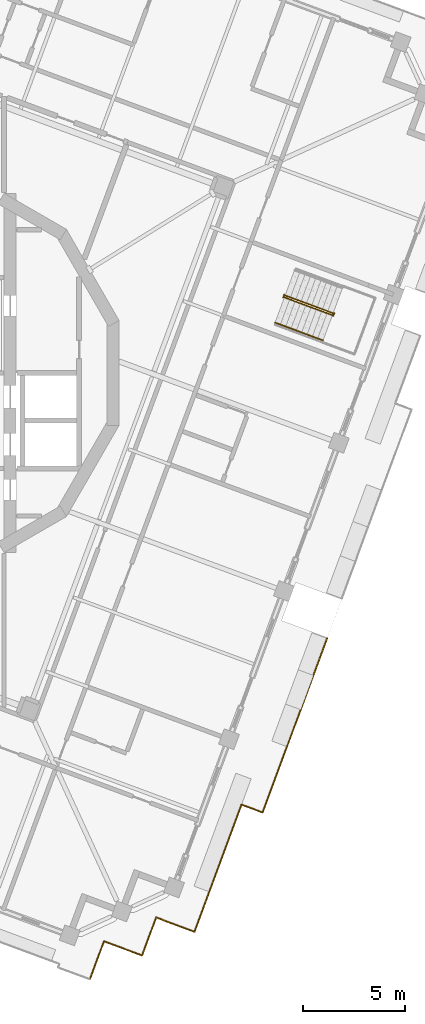
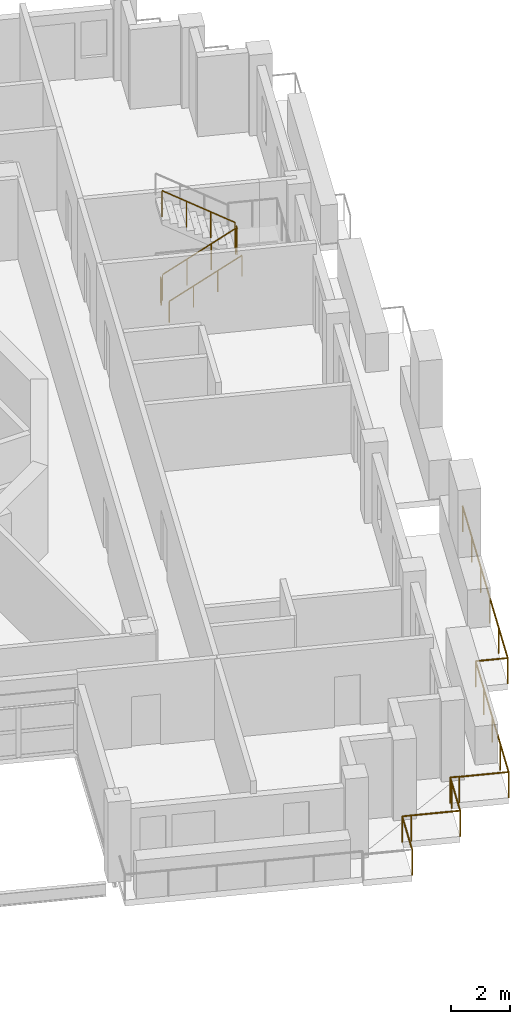
# One storey, part 15 of 19: 5 railings.
"""IFC4 building model written with IfcOpenShell, lengths in metres."""

import ifcopenshell
import ifcopenshell.guid

model = None  # the IFC model being written
_history = None  # IfcOwnerHistory: only IFC2X3 demands one
_inside = {}  # id of a spatial element -> (the spatial element, [elements in it])
_under = {}  # id of a project, library or spatial element -> (it, [spatial elements below it])
_declared = {}  # id of a project -> (the project, [libraries it declares])
_typed = {}  # id of a type object -> (the type object, [elements of that type])
_made_of = {}  # id of a material, layer set ... -> (it, [elements and type objects made of it])


def new_model(schema):
    """Start an empty IFC model of exactly this schema.

    Asked for "IFC4X3", IfcOpenShell would pick the latest addendum, in which some entities
    have other attributes; the version numbers below select the first issue.
    IFC2X3 requires an IfcOwnerHistory on every rooted entity: one is made here for all.
    """
    global model, _history
    if schema == "IFC4X3":
        model = ifcopenshell.file(schema_version=(4, 3, 0, 0))
    else:
        model = ifcopenshell.file(schema=schema)
    _inside.clear()
    _under.clear()
    _declared.clear()
    _typed.clear()
    _made_of.clear()
    _history = None
    if model.schema == "IFC2X3":
        org = make("IfcOrganization", Name="unknown")
        user = make(
            "IfcPersonAndOrganization",
            ThePerson=make("IfcPerson", FamilyName="unknown"),
            TheOrganization=org,
        )
        app = make(
            "IfcApplication",
            ApplicationDeveloper=org,
            Version="unknown",
            ApplicationFullName="unknown",
            ApplicationIdentifier="unknown",
        )
        _history = make(
            "IfcOwnerHistory",
            OwningUser=user,
            OwningApplication=app,
            ChangeAction="ADDED",
            CreationDate=0,
        )
    return model


def make(cls, **values):
    """One entity of the class cls with the attributes given. An attribute that is None is left unset."""
    return model.create_entity(
        cls, **{name: value for name, value in values.items() if value is not None}
    )


def rooted(cls, **values):
    """An entity with a GlobalId (a new one), such as an element, a storey or a relation."""
    return make(cls, GlobalId=ifcopenshell.guid.new(), OwnerHistory=_history, **values)


def si_unit(unit_type, name, prefix=None):
    """IfcSIUnit, for example si_unit("LENGTHUNIT", "METRE", prefix="MILLI")."""
    return make("IfcSIUnit", UnitType=unit_type, Prefix=prefix, Name=name)


def assignment(units):
    """IfcUnitAssignment: the units of a project."""
    return None if units is None else make("IfcUnitAssignment", Units=units)


def point(xyz):
    """IfcCartesianPoint."""
    return None if xyz is None else make("IfcCartesianPoint", Coordinates=xyz)


def direction(xyz):
    """IfcDirection."""
    return None if xyz is None else make("IfcDirection", DirectionRatios=xyz)


def frame(location, z_axis=None, x_axis=None):
    """IfcAxis2Placement3D, a coordinate frame: its origin and axes. An axis left out is left unset."""
    return make(
        "IfcAxis2Placement3D",
        Location=point(location),
        Axis=direction(z_axis),
        RefDirection=direction(x_axis),
    )


def frame_2d(location, x_axis=None):
    """IfcAxis2Placement2D, a coordinate frame in the plane: its origin and x axis."""
    return make(
        "IfcAxis2Placement2D", Location=point(location), RefDirection=direction(x_axis)
    )


def origin():
    """The frame at (0, 0, 0) with its axes left unset."""
    return frame((0.0, 0.0, 0.0))


def origin_2d():
    """The frame at (0, 0) in the plane with its x axis left unset."""
    return frame_2d((0.0, 0.0))


def place(relative_to, where):
    """IfcLocalPlacement: puts the frame where relative to a parent placement (None: the world)."""
    return make(
        "IfcLocalPlacement", PlacementRelTo=relative_to, RelativePlacement=where
    )


def context(
    kind, dimensions, precision=None, world=None, true_north=None, identifier=None
):
    """IfcGeometricRepresentationContext, for example the 3D "Model" context."""
    return make(
        "IfcGeometricRepresentationContext",
        ContextIdentifier=identifier,
        ContextType=kind,
        CoordinateSpaceDimension=dimensions,
        Precision=precision,
        WorldCoordinateSystem=world,
        TrueNorth=true_north,
    )


def subcontext(parent, identifier, kind, view, scale=None):
    """IfcGeometricRepresentationSubContext, for example "Body" below "Model"."""
    return make(
        "IfcGeometricRepresentationSubContext",
        ContextIdentifier=identifier,
        ContextType=kind,
        ParentContext=parent,
        TargetScale=scale,
        TargetView=view,
    )


def project(units=None, contexts=None):
    """IfcProject with its units and contexts."""
    return rooted(
        "IfcProject",
        Name="project",
        RepresentationContexts=contexts,
        UnitsInContext=assignment(units),
    )


def spatial(cls, under=None, at=None, **own):
    """A site, building, storey or space (cls), placed at a placement, below another one or the project."""
    s = rooted(cls, ObjectPlacement=at, **own)
    if under is not None:
        _under.setdefault(under.id(), (under, []))[1].append(s)
    return s


def profile(cls, at=None, kind="AREA", **sizes):
    """A parametric profile (cls). Its sizes go by their IFC names, for example OverallWidth=200.0."""
    return make(cls, ProfileType=kind, Position=at, **sizes)


def circle(**sizes):
    """IfcCircleProfileDef."""
    return profile("IfcCircleProfileDef", **sizes)


def extrude(swept, where, along, depth):
    """IfcExtrudedAreaSolid: the profile swept, set in the frame where, extruded along a direction by depth."""
    return make(
        "IfcExtrudedAreaSolid",
        SweptArea=swept,
        Position=where,
        ExtrudedDirection=direction(along),
        Depth=depth,
    )


def shape(context_of_items, identifier, shape_type, items):
    """IfcShapeRepresentation: the items that make up one representation, for example the "Body"."""
    return make(
        "IfcShapeRepresentation",
        ContextOfItems=context_of_items,
        RepresentationIdentifier=identifier,
        RepresentationType=shape_type,
        Items=items,
    )


def material(Name=None, Category=None):
    """IfcMaterial."""
    return make("IfcMaterial", Name=Name, Category=Category)


def made_of(thing, what):
    """Note that an element or type object is made of a material, layer set ...; save() writes the relation."""
    if what is not None:
        _made_of.setdefault(what.id(), (what, []))[1].append(thing)
    return thing


def type_object(cls, material=None, **own):
    """A type object (cls), such as IfcWallType, which elements share."""
    return made_of(rooted(cls, **own), material)


def element(
    cls,
    number,
    at=None,
    inside=None,
    cuts=None,
    type_object=None,
    material=None,
    context=None,
    identifier="Body",
    shape_type=None,
    held_by="IfcProductDefinitionShape",
    body=None,
    shapes=None,
    **own,
):
    """One element of the class cls, such as IfcWall. Its Tag is "e" and its number.

    at: its placement. inside: the storey or other place that contains it. cuts: it is an
    opening in that element (IfcRelVoidsElement). A single representation is given by context,
    identifier, shape_type and body (its items); several are given by shapes. held_by: the class
    of the entity that holds the representations. save() writes the other relations.
    """
    e = rooted(cls, Tag="e%d" % number, ObjectPlacement=at, **own)
    if body is not None:
        shapes = [shape(context, identifier, shape_type, body)]
    if shapes is not None:
        e.Representation = make(held_by, Representations=shapes)
    if inside is not None:
        _inside.setdefault(inside.id(), (inside, []))[1].append(e)
    if cuts is not None:
        rooted(
            "IfcRelVoidsElement", RelatingBuildingElement=cuts, RelatedOpeningElement=e
        )
    if type_object is not None:
        _typed.setdefault(type_object.id(), (type_object, []))[1].append(e)
    return made_of(e, material)


def aggregate(whole, parts):
    """IfcRelAggregates: a whole, such as a stair, and the parts it consists of."""
    return rooted("IfcRelAggregates", RelatingObject=whole, RelatedObjects=parts)


def save(model, path):
    """Write the relations noted so far, then the file.

    IfcRelAggregates (storeys below a building ...), IfcRelContainedInSpatialStructure (elements
    in a storey), IfcRelDefinesByType, IfcRelAssociatesMaterial and IfcRelDeclares: one each for
    every whole, place, type object, material and project.
    """
    for whole, parts in _under.values():
        aggregate(whole, parts)
    for where, things in _inside.values():
        rooted(
            "IfcRelContainedInSpatialStructure",
            RelatedElements=things,
            RelatingStructure=where,
        )
    for kind, things in _typed.values():
        rooted("IfcRelDefinesByType", RelatedObjects=things, RelatingType=kind)
    for what, things in _made_of.values():
        rooted("IfcRelAssociatesMaterial", RelatedObjects=things, RelatingMaterial=what)
    for by, libraries in _declared.values():
        rooted("IfcRelDeclares", RelatingContext=by, RelatedDefinitions=libraries)
    model.write(path)


model = new_model("IFC4")

# Units and contexts
model_context = context("Model", 3, precision=1e-05, world=origin(), true_north=direction((0.0, 1.0)))
body_context = subcontext(model_context, "Body", "Model", "MODEL_VIEW")
ifc_project = project(units=[si_unit("LENGTHUNIT", "METRE"), si_unit("AREAUNIT", "SQUARE_METRE"), si_unit("VOLUMEUNIT", "CUBIC_METRE"), si_unit("PLANEANGLEUNIT", "RADIAN"), si_unit("MASSUNIT", "GRAM", prefix="KILO")], contexts=[model_context])

# Site, building, storey
site_placement = place(None, origin())
site = spatial("IfcSite", under=ifc_project, at=site_placement, CompositionType="ELEMENT")
building_placement = place(site_placement, origin())
building = spatial("IfcBuilding", under=site, at=building_placement, Name="Cantera Rosa Tower", CompositionType="ELEMENT")
storey_placement = place(building_placement, frame((0.0, 0.0, 320.5)))
storey = spatial("IfcBuildingStorey", under=building, at=storey_placement, Name="L71", CompositionType="ELEMENT", Elevation=320.5)

# Railings
ifc_material_1 = material(Name="Stainless steel and laminated glass", Category="steel")
railing_type_1 = type_object("IfcRailingType", Name="GUARD 1100", PredefinedType="BALUSTRADE", material=ifc_material_1)
railing_1_placement = place(storey_placement, frame((19.911376953125, -13.051513671875, 0.0)))
element("IfcRailing", 1, at=railing_1_placement, inside=storey, type_object=railing_type_1, Name="GUARD L71-7", PredefinedType="BALUSTRADE", context=body_context, shape_type="SweptSolid", body=[
    extrude(circle(Radius=0.030029296875, at=origin_2d()), frame((0.0, 0.0, 1.070068359375), z_axis=(-0.347474136688, -0.937689567145, 0.0), x_axis=(0.937689567145, -0.347474136688, 0.0)), (0.0, 0.0, 1.0), 9.156494140625),
    extrude(circle(Radius=0.030029296875, at=origin_2d()), frame((-3.181640625, -8.5859375, 1.070068359375), z_axis=(-0.937674167555, 0.347515691013, 0.0), x_axis=(-0.347515691013, -0.937674167555, 0.0)), (0.0, 0.0, 1.0), 1.105712890625),
    extrude(circle(Radius=0.030029296875, at=origin_2d()), frame((-4.218505859375, -8.20166015625, 1.070068359375), z_axis=(-0.347504967842, -0.937678141648, 0.0), x_axis=(0.937678141648, -0.347504967842, 0.0)), (0.0, 0.0, 1.0), 6.67431640625),
    extrude(circle(Radius=0.030029296875, at=origin_2d()), frame((-6.537841796875, -14.4599609375, 1.070068359375), z_axis=(-0.93766211216, 0.347548217403, 0.0), x_axis=(-0.347548217403, -0.93766211216, 0.0)), (0.0, 0.0, 1.0), 1.699951171875),
    extrude(circle(Radius=0.030029296875, at=origin_2d()), frame((-8.1318359375, -13.869140625, 1.070068359375), z_axis=(0.355217760624, 0.934783580588, 0.0), x_axis=(-0.934783580588, 0.355217760624, 0.0)), (0.0, 0.0, 1.0), 0.012939453125),
    extrude(circle(Radius=0.030029296875, at=origin_2d()), frame((-8.127197265625, -13.85693359375, 1.070068359375), z_axis=(-0.937635888853, 0.347618957962, 0.0), x_axis=(-0.347618957962, -0.937635888853, 0.0)), (0.0, 0.0, 1.0), 0.313232421875),
    extrude(circle(Radius=0.030029296875, at=origin_2d()), frame((-8.4208984375, -13.748046875, 1.070068359375), z_axis=(-0.346933448503, -0.937889749549, 0.0), x_axis=(0.937889749549, -0.346933448503, 0.0)), (0.0, 0.0, 1.0), 0.313232421875),
    extrude(circle(Radius=0.030029296875, at=origin_2d()), frame((-8.529541015625, -14.041748046875, 1.070068359375), z_axis=(-0.347488755066, -0.937684149969, 0.0), x_axis=(0.937684149969, -0.347488755066, 0.0)), (0.0, 0.0, 1.0), 1.68701171875),
    extrude(circle(Radius=0.030029296875, at=origin_2d()), frame((-9.11572265625, -15.62353515625, 1.070068359375), z_axis=(-0.937684149969, 0.347488755066, 0.0), x_axis=(-0.347488755066, -0.937684149969, 0.0)), (0.0, 0.0, 1.0), 1.68701171875),
    extrude(circle(Radius=0.030029296875, at=origin_2d()), frame((-10.697509765625, -15.037353515625, 1.070068359375), z_axis=(-0.937635888853, 0.347618957962, 0.0), x_axis=(-0.347618957962, -0.937635888853, 0.0)), (0.0, 0.0, 1.0), 0.313232421875),
    extrude(circle(Radius=0.030029296875, at=origin_2d()), frame((-10.9912109375, -14.928466796875, 1.070068359375), z_axis=(-0.347401818267, -0.937716362588, 0.0), x_axis=(0.937716362588, -0.347401818267, 0.0)), (0.0, 0.0, 1.0), 2.0),
    extrude(circle(Radius=0.02490234375, at=origin_2d()), origin(), (0.0, 0.0, 1.0), 1.0400390625),
    extrude(circle(Radius=0.02490234375, at=origin_2d()), frame((-0.63623046875, -1.71728515625, 0.0)), (0.0, 0.0, 1.0), 1.0400390625),
    extrude(circle(Radius=0.02490234375, at=origin_2d()), frame((-1.272705078125, -3.434326171875, 0.0)), (0.0, 0.0, 1.0), 1.0400390625),
    extrude(circle(Radius=0.02490234375, at=origin_2d()), frame((-1.908935546875, -5.151611328125, 0.0)), (0.0, 0.0, 1.0), 1.0400390625),
    extrude(circle(Radius=0.02490234375, at=origin_2d()), frame((-2.54541015625, -6.86865234375, 0.0)), (0.0, 0.0, 1.0), 1.0400390625),
    extrude(circle(Radius=0.02490234375, at=origin_2d()), frame((-3.181640625, -8.5859375, 0.0)), (0.0, 0.0, 1.0), 1.0400390625),
    extrude(circle(Radius=0.02490234375, at=origin_2d()), frame((-4.218505859375, -8.20166015625, 0.0)), (0.0, 0.0, 1.0), 1.0400390625),
    extrude(circle(Radius=0.02490234375, at=origin_2d()), frame((-4.79833984375, -9.76611328125, 0.0)), (0.0, 0.0, 1.0), 1.0400390625),
    extrude(circle(Radius=0.02490234375, at=origin_2d()), frame((-5.378173828125, -11.330810546875, 0.0)), (0.0, 0.0, 1.0), 1.0400390625),
    extrude(circle(Radius=0.02490234375, at=origin_2d()), frame((-5.9580078125, -12.8955078125, 0.0)), (0.0, 0.0, 1.0), 1.0400390625),
    extrude(circle(Radius=0.02490234375, at=origin_2d()), frame((-6.537841796875, -14.4599609375, 0.0)), (0.0, 0.0, 1.0), 1.0400390625),
    extrude(circle(Radius=0.02490234375, at=origin_2d()), frame((-8.1318359375, -13.869140625, 0.0)), (0.0, 0.0, 1.0), 1.0400390625),
    extrude(circle(Radius=0.02490234375, at=origin_2d()), frame((-8.127197265625, -13.85693359375, 0.0)), (0.0, 0.0, 1.0), 1.0400390625),
    extrude(circle(Radius=0.02490234375, at=origin_2d()), frame((-8.4208984375, -13.748046875, 0.0)), (0.0, 0.0, 1.0), 1.0400390625),
    extrude(circle(Radius=0.02490234375, at=origin_2d()), frame((-8.529541015625, -14.041748046875, 0.0)), (0.0, 0.0, 1.0), 1.0400390625),
    extrude(circle(Radius=0.02490234375, at=origin_2d()), frame((-9.11572265625, -15.62353515625, 0.0)), (0.0, 0.0, 1.0), 1.0400390625),
    extrude(circle(Radius=0.02490234375, at=origin_2d()), frame((-10.697509765625, -15.037353515625, 0.0)), (0.0, 0.0, 1.0), 1.0400390625),
    extrude(circle(Radius=0.02490234375, at=origin_2d()), frame((-10.9912109375, -14.928466796875, 0.0)), (0.0, 0.0, 1.0), 1.0400390625),
    extrude(circle(Radius=0.02490234375, at=origin_2d()), frame((-11.68603515625, -16.803955078125, 0.0)), (0.0, 0.0, 1.0), 1.0400390625),
])
ifc_material_2 = material(Name="Steel S355J2 (EN 10025-2)", Category="steel")
railing_type_2 = type_object("IfcRailingType", Name="STAIR GUARD 1100", PredefinedType="GUARDRAIL", material=ifc_material_2)
railing_2_placement = place(storey_placement, frame((17.802490234375, 3.721923828125, 0.179931640625)))
element("IfcRailing", 2, at=railing_2_placement, inside=storey, type_object=railing_type_2, Name="L71 ST-61 stair guard 1", PredefinedType="GUARDRAIL", context=body_context, shape_type="SweptSolid", body=[
    extrude(circle(Radius=0.02392578125, at=origin_2d()), frame((0.0, 0.0, 1.076171875), z_axis=(0.788747577403, -0.292306804437, 0.540771662738), x_axis=(0.347500508527, 0.937679794265, 0.0)), (0.0, 0.0, 1.0), 2.995849609375),
    extrude(circle(Radius=0.02392578125, at=origin_2d()), frame((2.363037109375, -0.875732421875, 2.6962890625), z_axis=(0.671593765389, -0.740919573429, 0.0), x_axis=(0.740919573429, 0.671593765389, 0.0)), (0.0, 0.0, 1.0), 0.056396484375),
    extrude(circle(Radius=0.02392578125, at=origin_2d()), frame((2.40087890625, -0.91748046875, 2.6962890625), z_axis=(0.348268249601, 0.937394914814, 0.0), x_axis=(-0.937394914814, 0.348268249601, 0.0)), (0.0, 0.0, 1.0), 0.14990234375),
    extrude(circle(Radius=0.02099609375, at=origin_2d()), origin(), (0.0, 0.0, 1.0), 1.052001953125),
    extrude(circle(Radius=0.02099609375, at=origin_2d()), frame((0.78759765625, -0.2919921875, 0.5400390625)), (0.0, 0.0, 1.0), 1.052001953125),
    extrude(circle(Radius=0.02099609375, at=origin_2d()), frame((1.575439453125, -0.583740234375, 1.080078125)), (0.0, 0.0, 1.0), 1.052001953125),
    extrude(circle(Radius=0.02099609375, at=origin_2d()), frame((2.363037109375, -0.875732421875, 1.6201171875)), (0.0, 0.0, 1.0), 1.052001953125),
    extrude(circle(Radius=0.02099609375, at=origin_2d()), frame((2.40087890625, -0.91748046875, 1.6201171875)), (0.0, 0.0, 1.0), 1.052001953125),
    extrude(circle(Radius=0.02099609375, at=origin_2d()), frame((2.453125, -0.77685546875, 1.6201171875)), (0.0, 0.0, 1.0), 1.052001953125),
])
railing_3_placement = place(storey_placement, frame((20.19970703125, 2.93798828125, 1.97998046875)))
element("IfcRailing", 3, at=railing_3_placement, inside=storey, type_object=railing_type_2, Name="L71 ST-61 stair guard 2", PredefinedType="GUARDRAIL", context=body_context, shape_type="SweptSolid", body=[
    extrude(circle(Radius=0.02392578125, at=origin_2d()), frame((0.0, 0.0, 1.076171875), z_axis=(-0.788747577403, 0.292306804437, 0.540771662738), x_axis=(-0.347500508527, -0.937679794265, 0.0)), (0.0, 0.0, 1.0), 2.995849609375),
    extrude(circle(Radius=0.02099609375, at=origin_2d()), origin(), (0.0, 0.0, 1.0), 1.052001953125),
    extrude(circle(Radius=0.02099609375, at=origin_2d()), frame((-0.78759765625, 0.2919921875, 0.5400390625)), (0.0, 0.0, 1.0), 1.052001953125),
    extrude(circle(Radius=0.02099609375, at=origin_2d()), frame((-1.575439453125, 0.583740234375, 1.080078125)), (0.0, 0.0, 1.0), 1.052001953125),
    extrude(circle(Radius=0.02099609375, at=origin_2d()), frame((-2.363037109375, 0.875732421875, 1.6201171875)), (0.0, 0.0, 1.0), 1.052001953125),
])
railing_4_placement = place(storey_placement, frame((17.74658203125, 3.71484375, 0.0)))
element("IfcRailing", 4, at=railing_4_placement, inside=storey, type_object=railing_type_2, Name="L71 ST-61 stair guard 3", PredefinedType="GUARDRAIL", context=body_context, shape_type="SweptSolid", body=[
    extrude(circle(Radius=0.02392578125, at=origin_2d()), frame((0.0, 0.0, 1.076171875), z_axis=(0.348268249601, 0.937394914814, 0.0), x_axis=(-0.937394914814, 0.348268249601, 0.0)), (0.0, 0.0, 1.0), 0.14990234375),
    extrude(circle(Radius=0.02099609375, at=origin_2d()), origin(), (0.0, 0.0, 1.0), 1.052001953125),
    extrude(circle(Radius=0.02099609375, at=origin_2d()), frame((0.05224609375, 0.140625, 0.0)), (0.0, 0.0, 1.0), 1.052001953125),
])
ifc_material_3 = material(Name="Steel S355J2 (EN 10025-2)", Category="steel")
railing_type_3 = type_object("IfcRailingType", Name="STAIR HANDRAIL 900", PredefinedType="HANDRAIL", material=ifc_material_3)
railing_5_placement = place(storey_placement, frame((17.341796875, 2.478515625, 0.179931640625)))
element("IfcRailing", 5, at=railing_5_placement, inside=storey, type_object=railing_type_3, Name="L71 ST-61 stair handrail 1", PredefinedType="HANDRAIL", context=body_context, shape_type="SweptSolid", body=[
    extrude(circle(Radius=0.02392578125, at=origin_2d()), frame((0.0, 0.0, 0.8759765625), z_axis=(0.788747577403, -0.292306804437, 0.540771662738), x_axis=(0.347500508527, 0.937679794265, 0.0)), (0.0, 0.0, 1.0), 2.995849609375),
    extrude(circle(Radius=0.02099609375, at=origin_2d()), origin(), (0.0, 0.0, 1.0), 0.851806640625),
    extrude(circle(Radius=0.02099609375, at=origin_2d()), frame((0.78759765625, -0.2919921875, 0.5400390625)), (0.0, 0.0, 1.0), 0.851806640625),
    extrude(circle(Radius=0.02099609375, at=origin_2d()), frame((1.575439453125, -0.583740234375, 1.080078125)), (0.0, 0.0, 1.0), 0.851806640625),
    extrude(circle(Radius=0.02099609375, at=origin_2d()), frame((2.363037109375, -0.875732421875, 1.6201171875)), (0.0, 0.0, 1.0), 0.851806640625),
])

save(model, "model.ifc")
